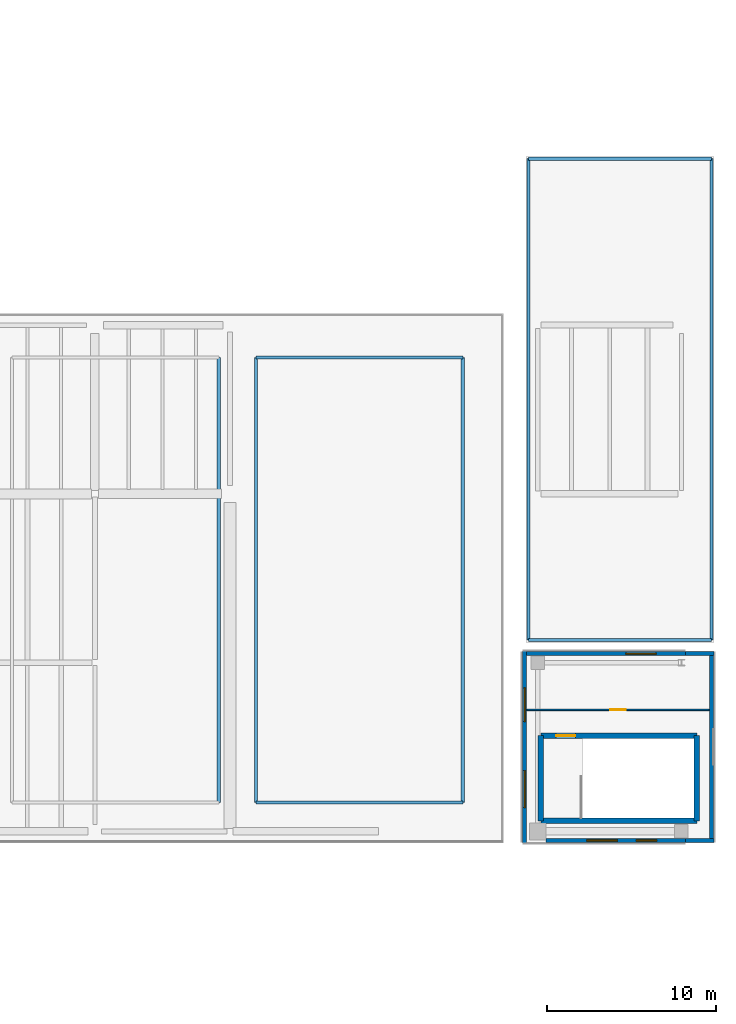
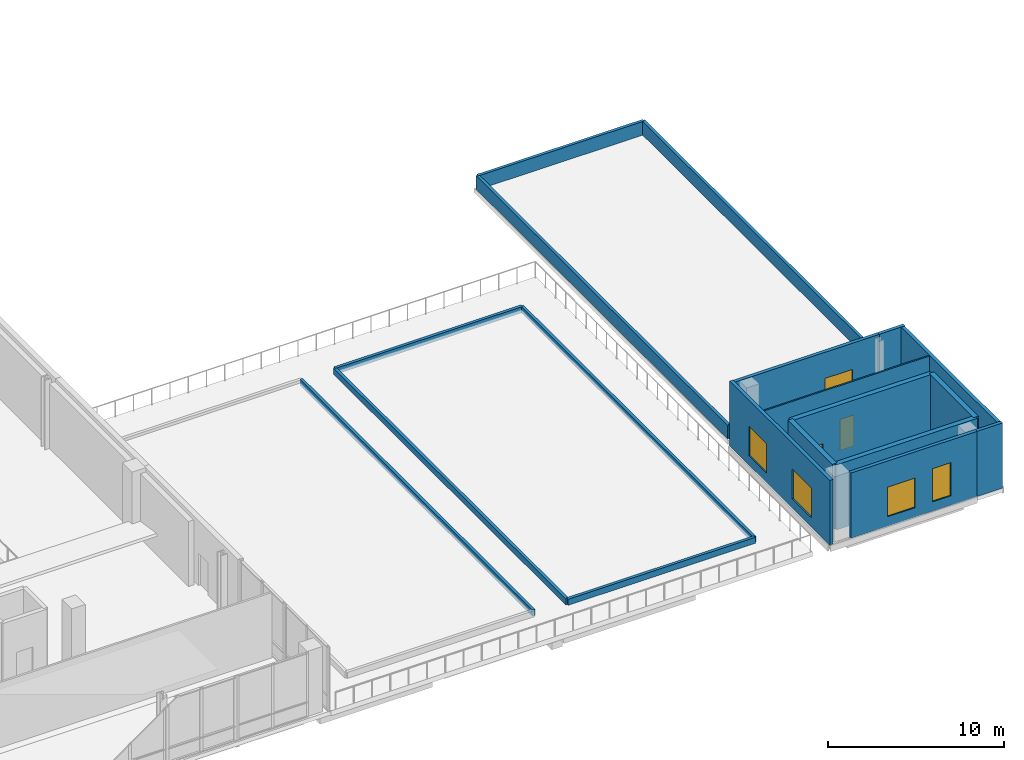
# One storey, part 32 of 41: 20 walls, 5 windows, 2 doors, 7 openings.
"""IFC4 building model written with IfcOpenShell, lengths in metres."""

from ifc_helpers import new_model, si_unit, direction, frame, frame_2d, origin, place, context, subcontext, project, spatial, rectangle, extrude, material, layer, layer_set, type_object, element, fill, save


model = new_model("IFC4")

# Units and contexts
model_context = context("Model", 3, precision=1e-05, world=origin(), true_north=direction((0.0, 1.0)))
body_context = subcontext(model_context, "Body", "Model", "MODEL_VIEW")
ifc_project = project(units=[si_unit("LENGTHUNIT", "METRE"), si_unit("AREAUNIT", "SQUARE_METRE"), si_unit("VOLUMEUNIT", "CUBIC_METRE"), si_unit("PLANEANGLEUNIT", "RADIAN"), si_unit("MASSUNIT", "GRAM", prefix="KILO")], contexts=[model_context])

# Site, building, storey
site_placement = place(None, origin())
site = spatial("IfcSite", under=ifc_project, at=site_placement, CompositionType="ELEMENT")
building_placement = place(site_placement, origin())
building = spatial("IfcBuilding", under=site, at=building_placement, Name="Trimount Lyric Opera House", CompositionType="ELEMENT")
storey_placement = place(building_placement, frame((0.0, 0.0, 20.0)))
storey = spatial("IfcBuildingStorey", under=building, at=storey_placement, Name="L04", CompositionType="ELEMENT", Elevation=20.0)

# Walls
ifc_material_1 = material(Name="Precast concrete C40/50", Category="concrete")
ifc_layer_1 = layer(ifc_material_1, 0.18994140625)
ifc_layer_set_1 = layer_set([ifc_layer_1], Name="WL-PA190")
wall_type_1 = type_object("IfcWallType", Name="WL-PA190", PredefinedType="PARAPET", material=ifc_layer_set_1)
wall_1_placement = place(storey_placement, frame((129.340087890625, 45.719970703125, 0.0), z_axis=(0.0, 0.0, 1.0), x_axis=(0.0, 1.0, 0.0)))
element("IfcWall", 1, at=wall_1_placement, inside=storey, type_object=wall_type_1, Name="East Workshop Roof Garden stone planter kerb 1E", PredefinedType="PARAPET", context=body_context, shape_type="SweptSolid", body=[
    extrude(rectangle(XDim=26.360107421875, YDim=0.18994140625, at=frame_2d((13.18017578125, 0.0))), origin(), (0.0, 0.0, 1.0), 0.419921875),
])
for number, where, z_axis, x_axis, name in (
    (2, (131.5400390625, 45.719970703125, 0.0), (0.0, 0.0, 1.0), (1.0, 0.0, 0.0), "East Workshop Roof Garden stone planter kerb 2S"),
    (3, (143.800048828125, 72.080078125, 0.0), (0.0, 0.0, 1.0), (-1.0, 0.0, 0.0), "East Workshop Roof Garden stone planter kerb 2N"),
):
    element("IfcWall", number, at=place(storey_placement, frame(where, z_axis=z_axis, x_axis=x_axis)), inside=storey, type_object=wall_type_1, Name=name, PredefinedType="PARAPET", context=body_context, shape_type="SweptSolid", body=[
        extrude(rectangle(XDim=12.260009765625, YDim=0.18994140625, at=frame_2d((6.1298828125, 0.0))), origin(), (0.0, 0.0, 1.0), 0.419921875),
    ])
for number, where, z_axis, x_axis, name in (
    (4, (131.5400390625, 72.080078125, 0.0), (0.0, 0.0, 1.0), (0.0, -1.0, 0.0), "East Workshop Roof Garden stone planter kerb 2W"),
    (5, (143.800048828125, 45.719970703125, 0.0), (0.0, 0.0, 1.0), (0.0, 1.0, 0.0), "East Workshop Roof Garden stone planter kerb 2E"),
):
    element("IfcWall", number, at=place(storey_placement, frame(where, z_axis=z_axis, x_axis=x_axis)), inside=storey, type_object=wall_type_1, Name=name, PredefinedType="PARAPET", context=body_context, shape_type="SweptSolid", body=[
        extrude(rectangle(XDim=26.360107421875, YDim=0.18994140625, at=frame_2d((13.18017578125, 0.0))), origin(), (0.0, 0.0, 1.0), 0.419921875),
    ])
wall_2_placement = place(storey_placement, frame((158.5400390625, 83.860107421875, 0.0), z_axis=(0.0, 0.0, 1.0), x_axis=(0.0, -1.0, 0.0)))
element("IfcWall", 6, at=wall_2_placement, inside=storey, type_object=wall_type_1, Name="L04 roof parapet 021", PredefinedType="PARAPET", context=body_context, shape_type="SweptSolid", body=[
    extrude(rectangle(XDim=28.52001953125, YDim=0.18994140625, at=frame_2d((14.260009765625, 0.0))), origin(), (0.0, 0.0, 1.0), 0.949951171875),
])
wall_3_placement = place(storey_placement, frame((158.5400390625, 55.340087890625, 0.0), z_axis=(0.0, 0.0, 1.0), x_axis=(-1.0, 0.0, 0.0)))
element("IfcWall", 7, at=wall_3_placement, inside=storey, type_object=wall_type_1, Name="L04 roof parapet 022", PredefinedType="PARAPET", context=body_context, shape_type="SweptSolid", body=[
    extrude(rectangle(XDim=10.85009765625, YDim=0.18994140625, at=frame_2d((5.425048828125, 0.0))), origin(), (0.0, 0.0, 1.0), 0.949951171875),
])
wall_4_placement = place(storey_placement, frame((147.68994140625, 55.340087890625, 0.0), z_axis=(0.0, 0.0, 1.0), x_axis=(0.0, 1.0, 0.0)))
element("IfcWall", 8, at=wall_4_placement, inside=storey, type_object=wall_type_1, Name="L04 roof parapet 023", PredefinedType="PARAPET", context=body_context, shape_type="SweptSolid", body=[
    extrude(rectangle(XDim=28.52001953125, YDim=0.18994140625, at=frame_2d((14.260009765625, 0.0))), origin(), (0.0, 0.0, 1.0), 0.949951171875),
])
wall_5_placement = place(storey_placement, frame((147.68994140625, 83.860107421875, 0.0), z_axis=(0.0, 0.0, 1.0), x_axis=(1.0, 0.0, 0.0)))
element("IfcWall", 9, at=wall_5_placement, inside=storey, type_object=wall_type_1, Name="L04 roof parapet 024", PredefinedType="PARAPET", context=body_context, shape_type="SweptSolid", body=[
    extrude(rectangle(XDim=10.85009765625, YDim=0.18994140625, at=frame_2d((5.425048828125, 0.0))), origin(), (0.0, 0.0, 1.0), 0.949951171875),
])

# Wall, opening, door
ifc_material_2 = material(Name="Light Gypsum Board Partition")
ifc_layer_2 = layer(ifc_material_2, 0.10009765625)
ifc_layer_set_2 = layer_set([ifc_layer_2], Name="WL-PT100")
wall_type_2 = type_object("IfcWallType", Name="WL-PT100", PredefinedType="PARTITIONING", material=ifc_layer_set_2)
wall_6_placement = place(storey_placement, frame((147.60009765625, 51.199951171875, 0.0), z_axis=(0.0, 0.0, 1.0), x_axis=(1.0, 0.0, 0.0)))
wall_6 = element("IfcWall", 10, at=wall_6_placement, inside=storey, type_object=wall_type_2, Name="L04 East Wing Artisan Salon S partition", PredefinedType="PARTITIONING", context=body_context, shape_type="SweptSolid", body=[
    extrude(rectangle(XDim=10.7998046875, YDim=0.10009765625, at=frame_2d((5.39990234375, 0.0))), origin(), (0.0, 0.0, 1.0), 4.510009765625),
])
opening_1_placement = place(wall_6_placement, frame((4.949951171875, 0.0, 0.0)))
opening_1 = element("IfcOpeningElement", 11, at=opening_1_placement, cuts=wall_6, Name="Opening DT-RM4", PredefinedType="OPENING", context=body_context, shape_type="SweptSolid", body=[
    extrude(rectangle(XDim=0.89990234375, YDim=2.14990234375, at=frame_2d((0.449951171875, 1.074951171875))), frame((0.0, 0.06005859375, 0.0), z_axis=(0.0, -1.0, 0.0), x_axis=(1.0, 0.0, 0.0)), (0.0, 0.0, 1.0), 0.1201171875),
])
ifc_material_3 = material(Name="Solid Core White Oak")
door_type_1 = type_object("IfcDoorType", Name="DT-RM4", OperationType="NOTDEFINED", PredefinedType="DOOR", material=ifc_material_3)
door_1_placement = place(opening_1_placement, origin())
door_1 = element("IfcDoor", 12, at=door_1_placement, inside=storey, type_object=door_type_1, Name="D-238", OperationType="SINGLE_SWING_LEFT", OverallHeight=2.14990234375, OverallWidth=0.89990234375, PredefinedType="DOOR", context=body_context, shape_type="SweptSolid", body=[
    extrude(rectangle(XDim=0.89990234375, YDim=2.14990234375, at=frame_2d((0.449951171875, 1.074951171875))), frame((0.0, 0.02490234375, 0.0), z_axis=(0.0, -1.0, 0.0), x_axis=(1.0, 0.0, 0.0)), (0.0, 0.0, 1.0), 0.050048828125),
])
fill(opening_1, door_1)

# Wall
ifc_material_4 = material(Name="Concrete C40/50", Category="concrete")
ifc_layer_3 = layer(ifc_material_4, 0.320068359375)
ifc_layer_set_3 = layer_set([ifc_layer_3], Name="WL-SH320")
wall_type_3 = type_object("IfcWallType", Name="WL-SH320", PredefinedType="SHEAR", material=ifc_layer_set_3)
wall_7_placement = place(storey_placement, frame((148.425048828125, 44.625, 0.0), z_axis=(0.0, 0.0, 1.0), x_axis=(1.0, 0.0, 0.0)))
element("IfcWall", 13, at=wall_7_placement, inside=storey, type_object=wall_type_3, Name="K5 L04 south shaft wall", PredefinedType="SHEAR", context=body_context, shape_type="SweptSolid", body=[
    extrude(rectangle(XDim=9.25, YDim=0.320068359375, at=frame_2d((4.625, 0.0))), origin(), (0.0, 0.0, 1.0), 4.510009765625),
])

# Wall, opening, door
wall_8_placement = place(storey_placement, frame((157.675048828125, 49.675048828125, 0.0), z_axis=(0.0, 0.0, 1.0), x_axis=(-1.0, 0.0, 0.0)))
wall_8 = element("IfcWall", 14, at=wall_8_placement, inside=storey, type_object=wall_type_3, Name="K5 L04 north shaft wall", PredefinedType="SHEAR", context=body_context, shape_type="SweptSolid", body=[
    extrude(rectangle(XDim=9.25, YDim=0.320068359375, at=frame_2d((4.625, 0.0))), origin(), (0.0, 0.0, 1.0), 4.510009765625),
])
opening_2_placement = place(wall_8_placement, frame((7.199951171875, 0.0, 0.0)))
opening_2 = element("IfcOpeningElement", 15, at=opening_2_placement, cuts=wall_8, Name="Opening DT-ST1", PredefinedType="OPENING", context=body_context, shape_type="SweptSolid", body=[
    extrude(rectangle(XDim=1.14990234375, YDim=2.199951171875, at=frame_2d((0.574951171875, 1.10009765625))), frame((0.0, 0.169921875, 0.0), z_axis=(0.0, -1.0, 0.0), x_axis=(1.0, 0.0, 0.0)), (0.0, 0.0, 1.0), 0.340087890625),
])
ifc_material_5 = material(Name="Fire-Rated Hollow Steel", Category="steel")
door_type_2 = type_object("IfcDoorType", Name="DT-ST1", OperationType="NOTDEFINED", PredefinedType="DOOR", material=ifc_material_5)
door_2_placement = place(opening_2_placement, origin())
door_2 = element("IfcDoor", 16, at=door_2_placement, inside=storey, type_object=door_type_2, Name="D-044", OperationType="SINGLE_SWING_RIGHT", OverallHeight=2.199951171875, OverallWidth=1.14990234375, PredefinedType="DOOR", context=body_context, shape_type="SweptSolid", body=[
    extrude(rectangle(XDim=1.14990234375, YDim=2.199951171875, at=frame_2d((0.574951171875, 1.10009765625))), frame((0.0, 0.02490234375, 0.0), z_axis=(0.0, -1.0, 0.0), x_axis=(1.0, 0.0, 0.0)), (0.0, 0.0, 1.0), 0.050048828125),
])
fill(opening_2, door_2)

# Walls
for number, where, z_axis, x_axis, name in (
    (17, (148.425048828125, 49.675048828125, 0.0), (0.0, 0.0, 1.0), (0.0, -1.0, 0.0), "K5 L04 west shaft wall"),
    (18, (157.675048828125, 44.625, 0.0), (0.0, 0.0, 1.0), (0.0, 1.0, 0.0), "K5 L04 east shaft wall"),
):
    element("IfcWall", number, at=place(storey_placement, frame(where, z_axis=z_axis, x_axis=x_axis)), inside=storey, type_object=wall_type_3, Name=name, PredefinedType="SHEAR", context=body_context, shape_type="SweptSolid", body=[
        extrude(rectangle(XDim=5.050048828125, YDim=0.320068359375, at=frame_2d((2.52490234375, 0.0))), origin(), (0.0, 0.0, 1.0), 4.510009765625),
    ])
ifc_material_6 = material(Name="Concrete C35/45", Category="concrete")
ifc_layer_4 = layer(ifc_material_6, 0.219970703125)
ifc_layer_set_4 = layer_set([ifc_layer_4], Name="WL-SW220")
wall_type_4 = type_object("IfcWallType", Name="WL-SW220", PredefinedType="SOLIDWALL", material=ifc_layer_set_4)
wall_9_placement = place(storey_placement, frame((158.679931640625, 43.4599609375, 0.0), z_axis=(0.0, 0.0, 1.0), x_axis=(-1.0, 0.0, 0.0)))
element("IfcWall", 19, at=wall_9_placement, inside=storey, type_object=wall_type_4, Name="L04 exterior facade wall 315", PredefinedType="SOLIDWALL", context=body_context, shape_type="SweptSolid", body=[
    extrude(rectangle(XDim=1.679931640625, YDim=0.219970703125, at=frame_2d((0.83984375, 0.0))), origin(), (0.0, 0.0, 1.0), 4.510009765625),
])

# Wall, openings, windows
wall_10_placement = place(storey_placement, frame((157.0, 43.4599609375, 0.0), z_axis=(0.0, 0.0, 1.0), x_axis=(-1.0, 0.0, 0.0)))
wall_10 = element("IfcWall", 20, at=wall_10_placement, inside=storey, type_object=wall_type_4, Name="L04 exterior facade wall 316", PredefinedType="SOLIDWALL", context=body_context, shape_type="SweptSolid", body=[
    extrude(rectangle(XDim=8.260009765625, YDim=0.219970703125, at=frame_2d((4.1298828125, 0.0))), origin(), (0.0, 0.0, 1.0), 4.510009765625),
])
opening_3_placement = place(wall_10_placement, frame((1.712890625, 0.0, 0.64990234375)))
opening_3 = element("IfcOpeningElement", 21, at=opening_3_placement, cuts=wall_10, Name="Opening WT-07", PredefinedType="OPENING", context=body_context, shape_type="SweptSolid", body=[
    extrude(rectangle(XDim=1.199951171875, YDim=2.300048828125, at=frame_2d((0.60009765625, 1.14990234375))), frame((0.0, 0.1201171875, 0.0), z_axis=(0.0, -1.0, 0.0), x_axis=(1.0, 0.0, 0.0)), (0.0, 0.0, 1.0), 0.239990234375),
])
opening_4_placement = place(wall_10_placement, frame((4.047119140625, 0.0, 0.64990234375)))
opening_4 = element("IfcOpeningElement", 22, at=opening_4_placement, cuts=wall_10, Name="Opening WT-11", PredefinedType="OPENING", context=body_context, shape_type="SweptSolid", body=[
    extrude(rectangle(XDim=1.800048828125, YDim=2.050048828125, at=frame_2d((0.89990234375, 1.02490234375))), frame((0.0, 0.1201171875, 0.0), z_axis=(0.0, -1.0, 0.0), x_axis=(1.0, 0.0, 0.0)), (0.0, 0.0, 1.0), 0.239990234375),
])
ifc_material_7 = material(Name="Triple Acoustic Glazing in Aluminium Frame", Category="aluminium")
window_type_1 = type_object("IfcWindowType", Name="WT-07", PartitioningType="SINGLE_PANEL", PredefinedType="WINDOW", material=ifc_material_7)
window_1_placement = place(opening_3_placement, origin())
window_1 = element("IfcWindow", 23, at=window_1_placement, inside=storey, type_object=window_type_1, Name="Window WT-07-0267", OverallHeight=2.300048828125, OverallWidth=1.199951171875, PartitioningType="SINGLE_PANEL", PredefinedType="WINDOW", context=body_context, shape_type="SweptSolid", body=[
    extrude(rectangle(XDim=1.199951171875, YDim=2.300048828125, at=frame_2d((0.60009765625, 1.14990234375))), frame((0.0, 0.030029296875, 0.0), z_axis=(0.0, -1.0, 0.0), x_axis=(1.0, 0.0, 0.0)), (0.0, 0.0, 1.0), 0.06005859375),
])
fill(opening_3, window_1)
ifc_material_8 = material(Name="Low-E Insulated Glazing in Bronze Frame", Category="glass")
window_type_2 = type_object("IfcWindowType", Name="WT-11", PartitioningType="DOUBLE_PANEL_VERTICAL", PredefinedType="WINDOW", material=ifc_material_8)
window_2_placement = place(opening_4_placement, origin())
window_2 = element("IfcWindow", 24, at=window_2_placement, inside=storey, type_object=window_type_2, Name="Window WT-11-0268", OverallHeight=2.050048828125, OverallWidth=1.800048828125, PartitioningType="SINGLE_PANEL", PredefinedType="WINDOW", context=body_context, shape_type="SweptSolid", body=[
    extrude(rectangle(XDim=1.800048828125, YDim=2.050048828125, at=frame_2d((0.89990234375, 1.02490234375))), frame((0.0, 0.030029296875, 0.0), z_axis=(0.0, -1.0, 0.0), x_axis=(1.0, 0.0, 0.0)), (0.0, 0.0, 1.0), 0.06005859375),
])
fill(opening_4, window_2)

wall_11_placement = place(storey_placement, frame((147.4599609375, 43.320068359375, 0.0), z_axis=(0.0, 0.0, 1.0), x_axis=(0.0, 1.0, 0.0)))
wall_11 = element("IfcWall", 25, at=wall_11_placement, inside=storey, type_object=wall_type_4, Name="L04 exterior facade wall 317", PredefinedType="SOLIDWALL", context=body_context, shape_type="SweptSolid", body=[
    extrude(rectangle(XDim=11.35986328125, YDim=0.219970703125, at=frame_2d((5.679931640625, 0.0))), origin(), (0.0, 0.0, 1.0), 4.510009765625),
])
opening_5_placement = place(wall_11_placement, frame((2.080810546875, 0.0, 0.64990234375)))
opening_5 = element("IfcOpeningElement", 26, at=opening_5_placement, cuts=wall_11, Name="Opening WT-09", PredefinedType="OPENING", context=body_context, shape_type="SweptSolid", body=[
    extrude(rectangle(XDim=2.199951171875, YDim=2.050048828125, at=frame_2d((1.10009765625, 1.02490234375))), frame((0.0, 0.1201171875, 0.0), z_axis=(0.0, -1.0, 0.0), x_axis=(1.0, 0.0, 0.0)), (0.0, 0.0, 1.0), 0.239990234375),
])
opening_6_placement = place(wall_11_placement, frame((7.17919921875, 0.0, 0.64990234375)))
opening_6 = element("IfcOpeningElement", 27, at=opening_6_placement, cuts=wall_11, Name="Opening WT-10", PredefinedType="OPENING", context=body_context, shape_type="SweptSolid", body=[
    extrude(rectangle(XDim=2.0, YDim=2.050048828125, at=frame_2d((1.0, 1.02490234375))), frame((0.0, 0.1201171875, 0.0), z_axis=(0.0, -1.0, 0.0), x_axis=(1.0, 0.0, 0.0)), (0.0, 0.0, 1.0), 0.239990234375),
])
ifc_material_9 = material(Name="Low-E Insulated Glazing in Bronze Frame", Category="glass")
window_type_3 = type_object("IfcWindowType", Name="WT-09", PartitioningType="DOUBLE_PANEL_VERTICAL", PredefinedType="WINDOW", material=ifc_material_9)
window_3_placement = place(opening_5_placement, origin())
window_3 = element("IfcWindow", 28, at=window_3_placement, inside=storey, type_object=window_type_3, Name="Window WT-09-0269", OverallHeight=2.050048828125, OverallWidth=2.199951171875, PartitioningType="SINGLE_PANEL", PredefinedType="WINDOW", context=body_context, shape_type="SweptSolid", body=[
    extrude(rectangle(XDim=2.199951171875, YDim=2.050048828125, at=frame_2d((1.10009765625, 1.02490234375))), frame((0.0, 0.030029296875, 0.0), z_axis=(0.0, -1.0, 0.0), x_axis=(1.0, 0.0, 0.0)), (0.0, 0.0, 1.0), 0.06005859375),
])
fill(opening_5, window_3)
ifc_material_10 = material(Name="Low-E Insulated Glazing in Bronze Frame", Category="glass")
window_type_4 = type_object("IfcWindowType", Name="WT-10", PartitioningType="DOUBLE_PANEL_VERTICAL", PredefinedType="WINDOW", material=ifc_material_10)
window_4_placement = place(opening_6_placement, origin())
window_4 = element("IfcWindow", 29, at=window_4_placement, inside=storey, type_object=window_type_4, Name="Window WT-10-0270", OverallHeight=2.050048828125, OverallWidth=2.0, PartitioningType="SINGLE_PANEL", PredefinedType="WINDOW", context=body_context, shape_type="SweptSolid", body=[
    extrude(rectangle(XDim=2.0, YDim=2.050048828125, at=frame_2d((1.0, 1.02490234375))), frame((0.0, 0.030029296875, 0.0), z_axis=(0.0, -1.0, 0.0), x_axis=(1.0, 0.0, 0.0)), (0.0, 0.0, 1.0), 0.06005859375),
])
fill(opening_6, window_4)

# Wall, opening, window
wall_12_placement = place(storey_placement, frame((147.574951171875, 54.5400390625, 0.0), z_axis=(0.0, 0.0, 1.0), x_axis=(1.0, 0.0, 0.0)))
wall_12 = element("IfcWall", 30, at=wall_12_placement, inside=storey, type_object=wall_type_4, Name="L04 exterior facade wall 318", PredefinedType="SOLIDWALL", context=body_context, shape_type="SweptSolid", body=[
    extrude(rectangle(XDim=9.425048828125, YDim=0.219970703125, at=frame_2d((4.71240234375, 0.0))), origin(), (0.0, 0.0, 1.0), 4.510009765625),
])
opening_7_placement = place(wall_12_placement, frame((5.885986328125, 0.0, 0.64990234375)))
opening_7 = element("IfcOpeningElement", 31, at=opening_7_placement, cuts=wall_12, Name="Opening WT-11", PredefinedType="OPENING", context=body_context, shape_type="SweptSolid", body=[
    extrude(rectangle(XDim=1.800048828125, YDim=2.050048828125, at=frame_2d((0.89990234375, 1.02490234375))), frame((0.0, 0.1201171875, 0.0), z_axis=(0.0, -1.0, 0.0), x_axis=(1.0, 0.0, 0.0)), (0.0, 0.0, 1.0), 0.239990234375),
])
window_5_placement = place(opening_7_placement, origin())
window_5 = element("IfcWindow", 32, at=window_5_placement, inside=storey, type_object=window_type_2, Name="Window WT-11-0271", OverallHeight=2.050048828125, OverallWidth=1.800048828125, PartitioningType="SINGLE_PANEL", PredefinedType="WINDOW", context=body_context, shape_type="SweptSolid", body=[
    extrude(rectangle(XDim=1.800048828125, YDim=2.050048828125, at=frame_2d((0.89990234375, 1.02490234375))), frame((0.0, 0.030029296875, 0.0), z_axis=(0.0, -1.0, 0.0), x_axis=(1.0, 0.0, 0.0)), (0.0, 0.0, 1.0), 0.06005859375),
])
fill(opening_7, window_5)

# Walls
wall_13_placement = place(storey_placement, frame((157.0, 54.5400390625, 0.0), z_axis=(0.0, 0.0, 1.0), x_axis=(1.0, 0.0, 0.0)))
element("IfcWall", 33, at=wall_13_placement, inside=storey, type_object=wall_type_4, Name="L04 exterior facade wall 319", PredefinedType="SOLIDWALL", context=body_context, shape_type="SweptSolid", body=[
    extrude(rectangle(XDim=1.679931640625, YDim=0.219970703125, at=frame_2d((0.83984375, 0.0))), origin(), (0.0, 0.0, 1.0), 4.510009765625),
])
wall_14_placement = place(storey_placement, frame((158.5400390625, 54.425048828125, 0.0), z_axis=(0.0, 0.0, 1.0), x_axis=(0.0, -1.0, 0.0)))
element("IfcWall", 34, at=wall_14_placement, inside=storey, type_object=wall_type_4, Name="L04 exterior facade wall 320", PredefinedType="SOLIDWALL", context=body_context, shape_type="SweptSolid", body=[
    extrude(rectangle(XDim=10.85009765625, YDim=0.219970703125, at=frame_2d((5.425048828125, 0.0))), origin(), (0.0, 0.0, 1.0), 4.510009765625),
])

save(model, "model.ifc")
